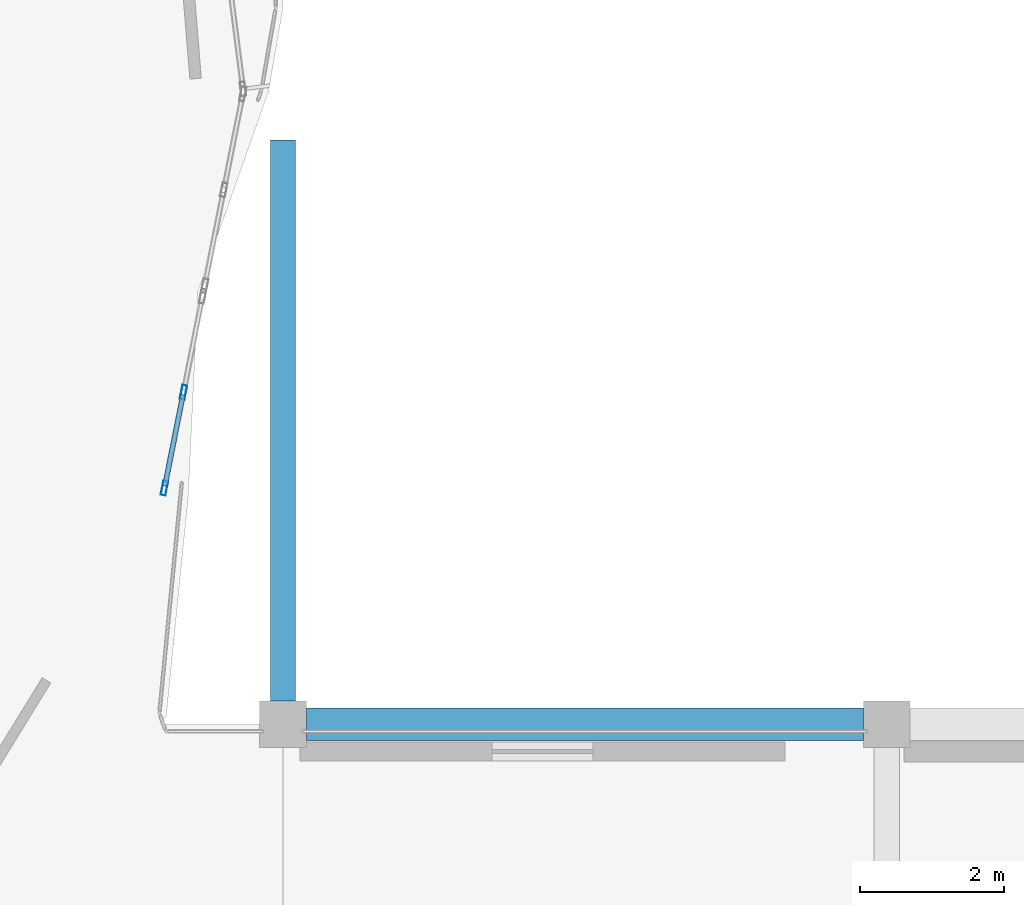
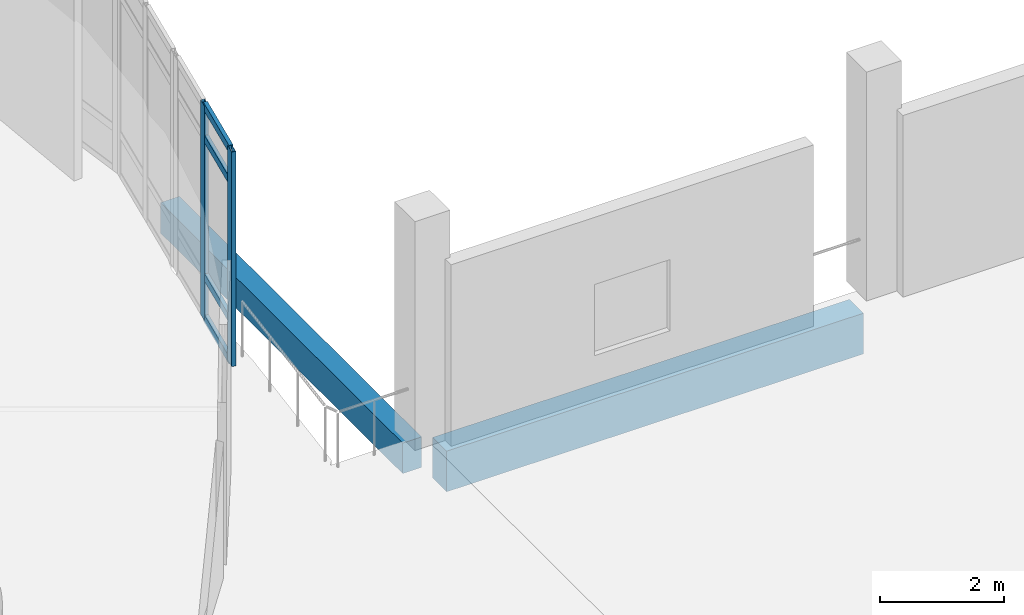
# One storey, part 8 of 46: 6 members, 2 beams, 1 element without a shape of its own.
"""IFC4 building model written with IfcOpenShell, lengths in metres."""

from ifc_helpers import new_model, si_unit, derived_unit, direction, frame, origin, origin_2d, place, context, subcontext, project, spatial, rectangle, hollow_rectangle, extrude, material, layer, layer_set, material_profile, profile_set, type_object, element, aggregate, save


model = new_model("IFC4")

# Units and contexts
model_context = context("Model", 3, precision=1e-05, world=origin(), true_north=direction((0.0, 1.0)))
body_context = subcontext(model_context, "Body", "Model", "MODEL_VIEW")
ifc_project = project(units=[si_unit("LENGTHUNIT", "METRE"), si_unit("AREAUNIT", "SQUARE_METRE"), si_unit("VOLUMEUNIT", "CUBIC_METRE"), si_unit("PLANEANGLEUNIT", "RADIAN"), si_unit("MASSUNIT", "GRAM", prefix="KILO"), derived_unit("THERMALTRANSMITTANCEUNIT", [(si_unit("POWERUNIT", "WATT"), 1), (si_unit("LENGTHUNIT", "METRE"), -2), (si_unit("THERMODYNAMICTEMPERATUREUNIT", "KELVIN"), -1)])], contexts=[model_context])

# Site, building, storey
site_placement = place(None, origin())
site = spatial("IfcSite", under=ifc_project, at=site_placement, CompositionType="ELEMENT")
building_placement = place(site_placement, origin())
building = spatial("IfcBuilding", under=site, at=building_placement, Name="Elbkamm Science Centre", CompositionType="ELEMENT")
storey_placement = place(building_placement, frame((0.0, 0.0, 9.89990234375)))
storey = spatial("IfcBuildingStorey", under=building, at=storey_placement, Name="L02", CompositionType="ELEMENT", Elevation=9.89990234375)

# Beams
ifc_material_1 = material(Name="Concrete C40/50", Category="concrete")
ifc_material_profile_1 = material_profile(ifc_material_1, rectangle(XDim=0.35009765625, YDim=0.60009765625, at=origin_2d()), Name="RC 350x600")
ifc_profile_set_1 = profile_set([ifc_material_profile_1], Name="Concrete C40/50")
beam_type_1 = type_object("IfcBeamType", Name="BM-RC-350x600", PredefinedType="BEAM", material=ifc_profile_set_1)
beam_1_placement = place(storey_placement, frame((92.39990234375, 59.125, -0.599853515625), z_axis=(0.0, 1.0, 0.0), x_axis=(-1.0, 0.0, 0.0)))
element("IfcBeam", 1, at=beam_1_placement, inside=storey, type_object=beam_type_1, Name="L02 Primary Y-Girder 007", PredefinedType="BEAM", context=body_context, shape_type="SweptSolid", body=[
    extrude(rectangle(XDim=0.35009765625, YDim=0.60009765625, at=origin_2d()), origin(), (0.0, 0.0, 1.0), 7.800048828125),
])
ifc_material_profile_2 = material_profile(ifc_material_1, rectangle(XDim=0.449951171875, YDim=0.800048828125, at=origin_2d()), Name="RC 450x800")
ifc_profile_set_2 = profile_set([ifc_material_profile_2], Name="Concrete C40/50")
beam_type_2 = type_object("IfcBeamType", Name="BM-RC-450x800", PredefinedType="BEAM", material=ifc_profile_set_2)
beam_2_placement = place(storey_placement, frame((92.72509765625, 58.800048828125, -0.699951171875), z_axis=(1.0, 0.0, 0.0), x_axis=(0.0, 1.0, 0.0)))
element("IfcBeam", 2, at=beam_2_placement, inside=storey, type_object=beam_type_2, Name="L02 Primary X-Girder 030", PredefinedType="BEAM", context=body_context, shape_type="SweptSolid", body=[
    extrude(rectangle(XDim=0.449951171875, YDim=0.800048828125, at=origin_2d()), origin(), (0.0, 0.0, 1.0), 7.75),
])

# Curtain wall, members
ifc_material_2 = material(Name="Powder-coated aluminium and triple low-E glazing", Category="aluminium")
ifc_layer = layer(ifc_material_2, 0.159912109375)
ifc_layer_set = layer_set([ifc_layer], Name="Powder-coated aluminium and triple low-E glazing")
curtain_wall_type = type_object("IfcCurtainWallType", Name="CW-UNIT-2800x4220", PredefinedType="USERDEFINED", material=ifc_layer_set)
curtain_wall_placement = place(storey_placement, origin())
curtain_wall = element("IfcCurtainWall", 3, at=curtain_wall_placement, inside=storey, type_object=curtain_wall_type, Name="L02 Unitised Curtain Wall 044", ObjectType="UNITISED CURTAIN WALL", PredefinedType="USERDEFINED")
ifc_material_3 = material(Name="Powder-coated aluminium EN AW-6060", Category="aluminium")
ifc_material_profile_3 = material_profile(ifc_material_3, hollow_rectangle(XDim=0.070068359375, YDim=0.199951171875, WallThickness=0.00439453125, at=origin_2d()), Name="ALU M70x200")
ifc_profile_set_3 = profile_set([ifc_material_profile_3], Name="Powder-coated aluminium EN AW-6060")
member_type_1 = type_object("IfcMemberType", Name="CW-MUL-70x200", PredefinedType="MULLION", material=ifc_profile_set_3)
member_1_placement = place(storey_placement, frame((90.751953125, 62.081787109375, 0.0), z_axis=(0.0, 0.0, 1.0), x_axis=(-0.980773152728, 0.195151282054, 0.0)))
member_1 = element("IfcMember", 4, at=member_1_placement, type_object=member_type_1, Name="CW-019 mullion 1", PredefinedType="MULLION", context=body_context, shape_type="SweptSolid", body=[
    extrude(hollow_rectangle(XDim=0.070068359375, YDim=0.199951171875, WallThickness=0.00439453125, at=origin_2d()), origin(), (0.0, 0.0, 1.0), 4.22021484375),
])
member_2_placement = place(storey_placement, frame((91.017333984375, 63.416015625, 0.0), z_axis=(0.0, 0.0, 1.0), x_axis=(-0.980773152728, 0.195151282054, 0.0)))
member_2 = element("IfcMember", 5, at=member_2_placement, type_object=member_type_1, Name="CW-019 mullion 2", PredefinedType="MULLION", context=body_context, shape_type="SweptSolid", body=[
    extrude(hollow_rectangle(XDim=0.070068359375, YDim=0.199951171875, WallThickness=0.00439453125, at=origin_2d()), origin(), (0.0, 0.0, 1.0), 4.22021484375),
])
ifc_material_profile_4 = material_profile(ifc_material_3, hollow_rectangle(XDim=0.070068359375, YDim=0.14990234375, WallThickness=0.00390625, at=origin_2d()), Name="ALU T70x150")
ifc_profile_set_4 = profile_set([ifc_material_profile_4], Name="Powder-coated aluminium EN AW-6060")
member_type_2 = type_object("IfcMemberType", Name="CW-TRN-70x150", PredefinedType="USERDEFINED", material=ifc_profile_set_4)
member_3_placement = place(storey_placement, frame((90.7587890625, 62.1162109375, 0.03515625), z_axis=(0.195097093458, 0.980783933455, 0.0), x_axis=(-0.980783933455, 0.195097093458, 0.0)))
member_3 = element("IfcMember", 6, at=member_3_placement, type_object=member_type_2, Name="CW-019 transom 1.1", ObjectType="TRANSOM", PredefinedType="USERDEFINED", context=body_context, shape_type="SweptSolid", body=[
    extrude(hollow_rectangle(XDim=0.070068359375, YDim=0.14990234375, WallThickness=0.00390625, at=origin_2d()), origin(), (0.0, 0.0, 1.0), 1.290283203125),
])
member_4_placement = place(storey_placement, frame((90.7587890625, 62.1162109375, 0.85009765625), z_axis=(0.195097093458, 0.980783933455, 0.0), x_axis=(-0.980783933455, 0.195097093458, 0.0)))
member_4 = element("IfcMember", 7, at=member_4_placement, type_object=member_type_2, Name="CW-019 transom 1.2", ObjectType="TRANSOM", PredefinedType="USERDEFINED", context=body_context, shape_type="SweptSolid", body=[
    extrude(hollow_rectangle(XDim=0.070068359375, YDim=0.14990234375, WallThickness=0.00390625, at=origin_2d()), origin(), (0.0, 0.0, 1.0), 1.290283203125),
])
member_5_placement = place(storey_placement, frame((90.7587890625, 62.1162109375, 3.570068359375), z_axis=(0.195097093458, 0.980783933455, 0.0), x_axis=(-0.980783933455, 0.195097093458, 0.0)))
member_5 = element("IfcMember", 8, at=member_5_placement, type_object=member_type_2, Name="CW-019 transom 1.3", ObjectType="TRANSOM", PredefinedType="USERDEFINED", context=body_context, shape_type="SweptSolid", body=[
    extrude(hollow_rectangle(XDim=0.070068359375, YDim=0.14990234375, WallThickness=0.00390625, at=origin_2d()), origin(), (0.0, 0.0, 1.0), 1.290283203125),
])
member_6_placement = place(storey_placement, frame((90.7587890625, 62.1162109375, 4.18505859375), z_axis=(0.195097093458, 0.980783933455, 0.0), x_axis=(-0.980783933455, 0.195097093458, 0.0)))
member_6 = element("IfcMember", 9, at=member_6_placement, type_object=member_type_2, Name="CW-019 transom 1.4", ObjectType="TRANSOM", PredefinedType="USERDEFINED", context=body_context, shape_type="SweptSolid", body=[
    extrude(hollow_rectangle(XDim=0.070068359375, YDim=0.14990234375, WallThickness=0.00390625, at=origin_2d()), origin(), (0.0, 0.0, 1.0), 1.290283203125),
])
aggregate(curtain_wall, [member_1, member_2, member_3, member_4, member_5, member_6])

save(model, "model.ifc")
